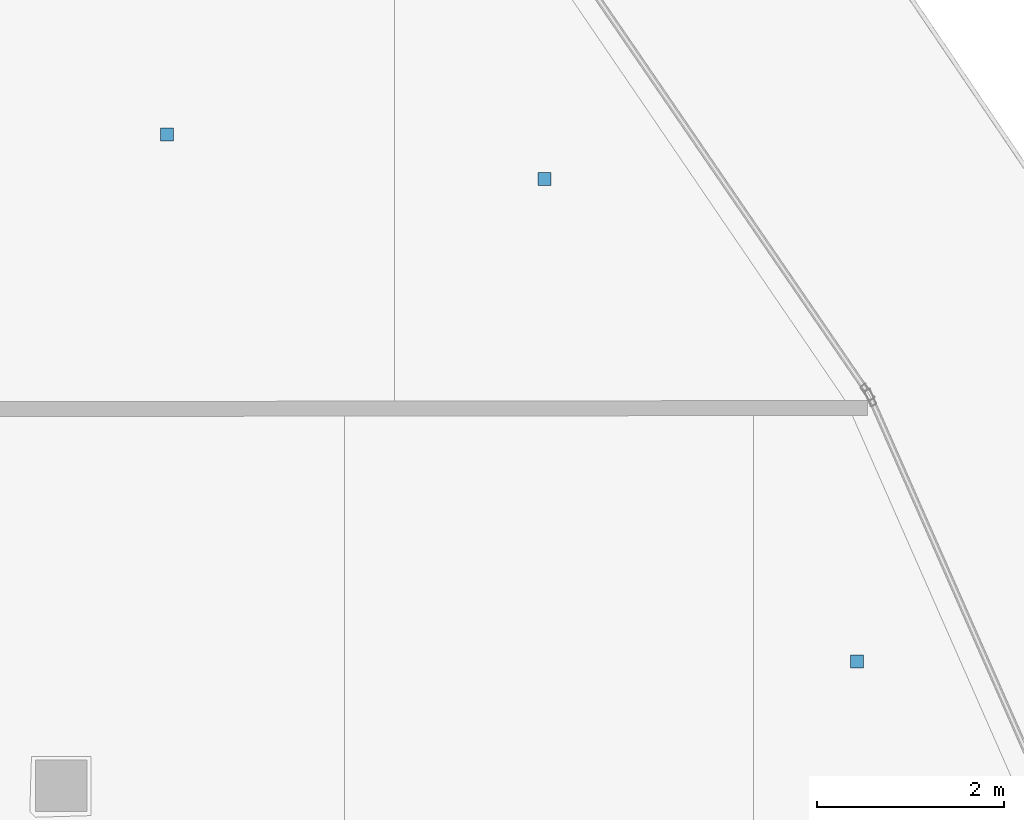
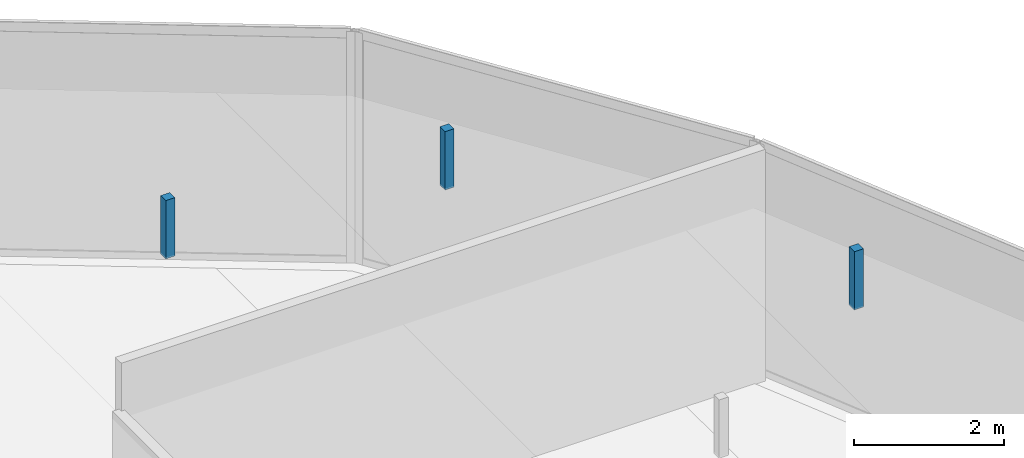
# One storey, part 36 of 43: 3 discrete accessories.
"""IFC4 building model written with IfcOpenShell, lengths in metres."""

from ifc_helpers import new_model, si_unit, direction, frame, origin, origin_2d, place, context, subcontext, project, spatial, rectangle, extrude, material, type_object, element, save


model = new_model("IFC4")

# Units and contexts
model_context = context("Model", 3, precision=1e-05, world=origin(), true_north=direction((0.0, 1.0)))
body_context = subcontext(model_context, "Body", "Model", "MODEL_VIEW")
ifc_project = project(units=[si_unit("LENGTHUNIT", "METRE"), si_unit("AREAUNIT", "SQUARE_METRE"), si_unit("VOLUMEUNIT", "CUBIC_METRE"), si_unit("PLANEANGLEUNIT", "RADIAN"), si_unit("MASSUNIT", "GRAM", prefix="KILO")], contexts=[model_context])

# Site, building, storey
site_placement = place(None, origin())
site = spatial("IfcSite", under=ifc_project, at=site_placement, CompositionType="ELEMENT")
building_placement = place(site_placement, origin())
building = spatial("IfcBuilding", under=site, at=building_placement, Name="Qorvath Tower", CompositionType="ELEMENT")
storey_placement = place(building_placement, frame((0.0, 0.0, 213.14990234375)))
storey = spatial("IfcBuildingStorey", under=building, at=storey_placement, Name="L49", CompositionType="ELEMENT", Elevation=213.14990234375)

# Discrete accessories
ifc_material = material(Name="Galvanised steel bracket", Category="steel")
discrete_accessory_type = type_object("IfcDiscreteAccessoryType", Name="DA-BRACKET", PredefinedType="BRACKET", material=ifc_material)
for number, where, z_axis, x_axis, name in (
    (1, (-10.6669921875, 18.414306640625, 2.85986328125), (0.0, 0.0, 1.0), (1.0, 0.0, 0.0), "Acoustic Ceiling Suspension Hanger T1-L49-021"),
    (2, (-6.63232421875, 17.939208984375, 2.85986328125), (0.0, 0.0, 1.0), (1.0, 0.0, 0.0), "Acoustic Ceiling Suspension Hanger T1-L49-022"),
    (3, (-3.292724609375, 12.782470703125, 2.85986328125), (0.0, 0.0, 1.0), (1.0, 0.0, 0.0), "Acoustic Ceiling Suspension Hanger T1-L49-042"),
):
    element("IfcDiscreteAccessory", number, at=place(storey_placement, frame(where, z_axis=z_axis, x_axis=x_axis)), inside=storey, type_object=discrete_accessory_type, Name=name, PredefinedType="NOTDEFINED", context=body_context, shape_type="SweptSolid", body=[
        extrude(rectangle(XDim=0.139892578125, YDim=0.139892578125, at=origin_2d()), origin(), (0.0, 0.0, 1.0), 0.949951171875),
    ])

save(model, "model.ifc")
